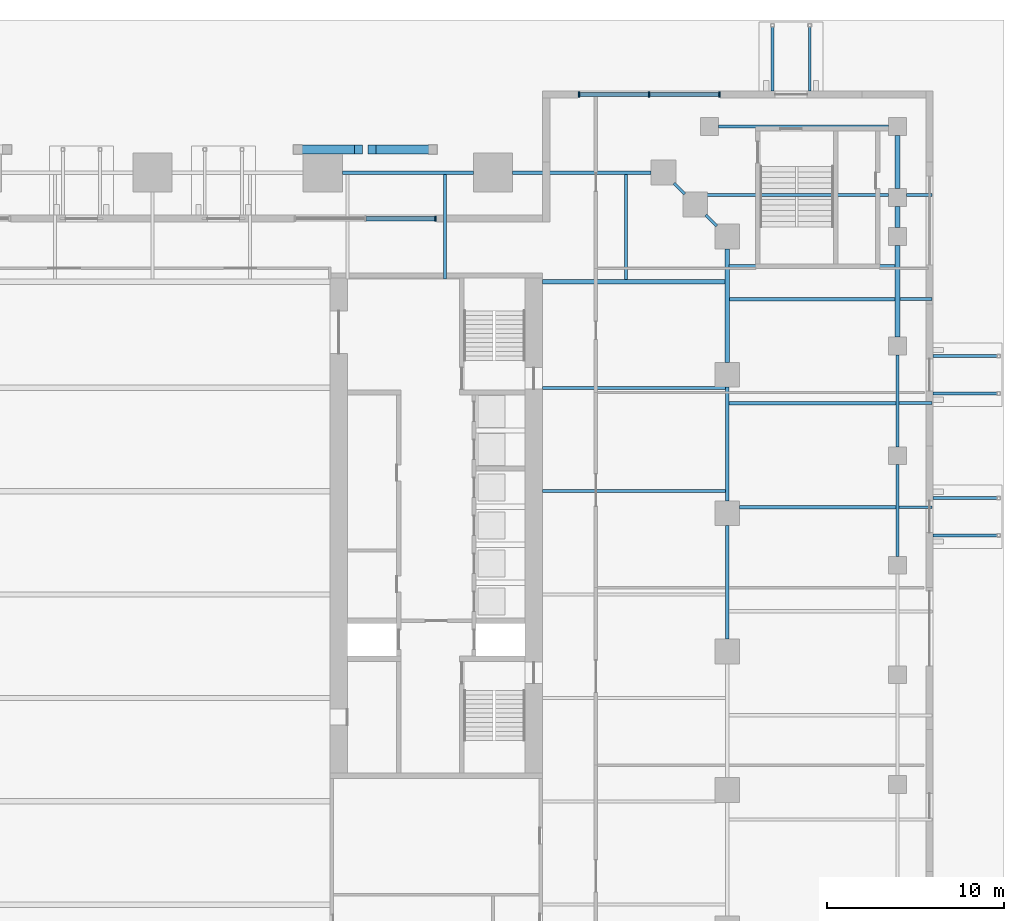
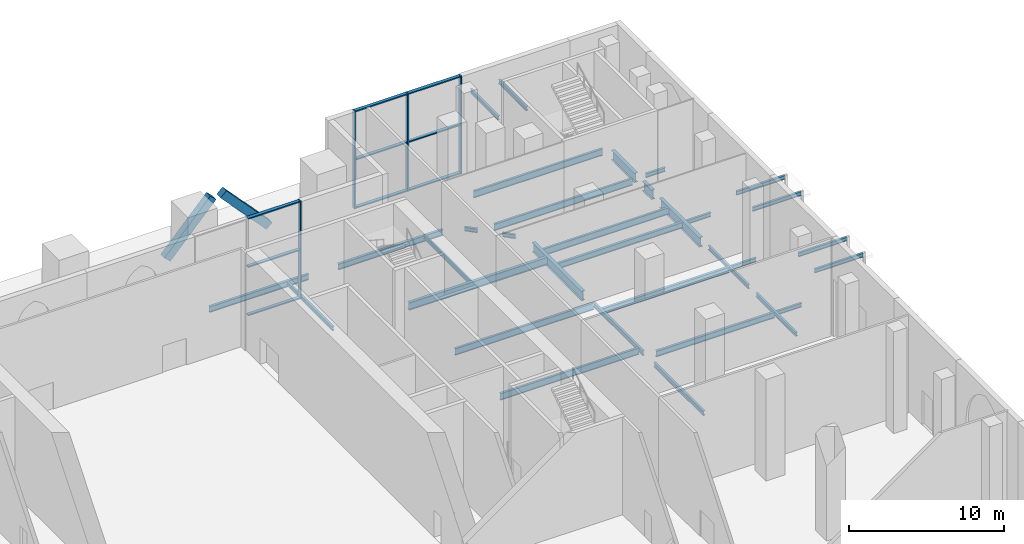
# One storey, part 24 of 38: 33 beams, 15 members, 2 elements without a shape of their own.
"""IFC4 building model written with IfcOpenShell, lengths in metres."""

from ifc_helpers import new_model, si_unit, direction, frame, origin, origin_2d, place, context, subcontext, project, spatial, rectangle, i_section, extrude, material, material_profile, profile_set, type_object, element, aggregate, save


model = new_model("IFC4")

# Units and contexts
model_context = context("Model", 3, precision=1e-05, world=origin(), true_north=direction((0.0, 1.0)))
body_context = subcontext(model_context, "Body", "Model", "MODEL_VIEW")
ifc_project = project(units=[si_unit("LENGTHUNIT", "METRE"), si_unit("AREAUNIT", "SQUARE_METRE"), si_unit("VOLUMEUNIT", "CUBIC_METRE"), si_unit("PLANEANGLEUNIT", "RADIAN"), si_unit("MASSUNIT", "GRAM", prefix="KILO")], contexts=[model_context])

# Site, building, storey
site_placement = place(None, origin())
site = spatial("IfcSite", under=ifc_project, at=site_placement, CompositionType="ELEMENT")
building_placement = place(site_placement, origin())
building = spatial("IfcBuilding", under=site, at=building_placement, Name="Ogive Exchange Tower", CompositionType="ELEMENT")
storey_placement = place(building_placement, origin())
storey = spatial("IfcBuildingStorey", under=building, at=storey_placement, Name="L00", CompositionType="ELEMENT", Elevation=0.0)

# Members
ifc_material_1 = material(Name="Concrete C70/85", Category="concrete")
ifc_material_profile_1 = material_profile(ifc_material_1, rectangle(XDim=0.5, YDim=0.60009765625, at=origin_2d()), Name="PC 500x600")
ifc_profile_set_1 = profile_set([ifc_material_profile_1], Name="Concrete C70/85")
member_type_1 = type_object("IfcMemberType", Name="Arch rib 500x600", PredefinedType="USERDEFINED", material=ifc_profile_set_1)
for number, where, z_axis, x_axis, name in (
    (1, (15.800048828125, 32.699951171875, 3.5), (-0.679788220837, 0.0, 0.733408463826), (0.0, -1.0, 0.0), "Arch rib"),
    (2, (8.199951171875, 32.699951171875, 3.5), (0.679788220837, 0.0, 0.733408463826), (0.0, 1.0, 0.0), "Arch rib"),
):
    element("IfcMember", number, at=place(storey_placement, frame(where, z_axis=z_axis, x_axis=x_axis)), inside=storey, type_object=member_type_1, Name=name, ObjectType="ARCH RIB", PredefinedType="USERDEFINED", context=body_context, shape_type="SweptSolid", body=[
        extrude(rectangle(XDim=0.5, YDim=0.60009765625, at=origin_2d()), origin(), (0.0, 0.0, 1.0), 5.03125),
    ])

# Curtain wall, members
ifc_material_2 = material(Name="Anodised aluminium and clear glass", Category="aluminium")
curtain_wall_type = type_object("IfcCurtainWallType", Name="Exchange hall glazing", PredefinedType="NOTDEFINED", material=ifc_material_2)
curtain_wall_1_placement = place(storey_placement, origin())
curtain_wall_1 = element("IfcCurtainWall", 3, at=curtain_wall_1_placement, inside=storey, type_object=curtain_wall_type, Name="Exchange hall glazing run HG27", PredefinedType="NOTDEFINED")
ifc_material_3 = material(Name="Anodised aluminium", Category="aluminium")
ifc_material_profile_2 = material_profile(ifc_material_3, rectangle(XDim=0.300048828125, YDim=0.090087890625, at=origin_2d()), Name="AL 90x300")
ifc_profile_set_2 = profile_set([ifc_material_profile_2], Name="Anodised aluminium")
member_type_2 = type_object("IfcMemberType", Name="Exchange hall glazing mullion 90 x 300", PredefinedType="MULLION", material=ifc_profile_set_2)
member_1_placement = place(storey_placement, frame((31.955078125, 35.800048828125, 0.0), z_axis=(0.0, 0.0, 1.0), x_axis=(0.0, -1.0, 0.0)))
member_1 = element("IfcMember", 4, at=member_1_placement, type_object=member_type_2, Name="HG27 mullion 1", PredefinedType="MULLION", context=body_context, shape_type="SweptSolid", body=[
    extrude(rectangle(XDim=0.300048828125, YDim=0.090087890625, at=origin_2d()), origin(), (0.0, 0.0, 1.0), 7.699951171875),
])
member_2_placement = place(storey_placement, frame((28.0, 35.800048828125, 0.0), z_axis=(0.0, 0.0, 1.0), x_axis=(0.0, -1.0, 0.0)))
member_2 = element("IfcMember", 5, at=member_2_placement, type_object=member_type_2, Name="HG27 mullion 2", PredefinedType="MULLION", context=body_context, shape_type="SweptSolid", body=[
    extrude(rectangle(XDim=0.300048828125, YDim=0.090087890625, at=origin_2d()), origin(), (0.0, 0.0, 1.0), 7.699951171875),
])
member_3_placement = place(storey_placement, frame((24.044921875, 35.800048828125, 0.0), z_axis=(0.0, 0.0, 1.0), x_axis=(0.0, -1.0, 0.0)))
member_3 = element("IfcMember", 6, at=member_3_placement, type_object=member_type_2, Name="HG27 mullion 3", PredefinedType="MULLION", context=body_context, shape_type="SweptSolid", body=[
    extrude(rectangle(XDim=0.300048828125, YDim=0.090087890625, at=origin_2d()), origin(), (0.0, 0.0, 1.0), 7.699951171875),
])

# Curtain wall, member
curtain_wall_2_placement = place(storey_placement, origin())
curtain_wall_2 = element("IfcCurtainWall", 7, at=curtain_wall_2_placement, inside=storey, type_object=curtain_wall_type, Name="Exchange hall glazing run HG32", PredefinedType="NOTDEFINED")
member_4_placement = place(storey_placement, frame((15.955078125, 28.800048828125, 0.0), z_axis=(0.0, 0.0, 1.0), x_axis=(0.0, -1.0, 0.0)))
member_4 = element("IfcMember", 8, at=member_4_placement, type_object=member_type_2, Name="HG32 mullion 1", PredefinedType="MULLION", context=body_context, shape_type="SweptSolid", body=[
    extrude(rectangle(XDim=0.300048828125, YDim=0.090087890625, at=origin_2d()), origin(), (0.0, 0.0, 1.0), 7.699951171875),
])

# Member
ifc_material_profile_3 = material_profile(ifc_material_3, rectangle(XDim=0.25, YDim=0.090087890625, at=origin_2d()), Name="AL 90x250")
ifc_profile_set_3 = profile_set([ifc_material_profile_3], Name="Anodised aluminium")
member_type_3 = type_object("IfcMemberType", Name="Exchange hall glazing transom 90 x 250", PredefinedType="USERDEFINED", material=ifc_profile_set_3)
member_5_placement = place(storey_placement, frame((31.909912109375, 35.800048828125, 0.044921875), z_axis=(-1.0, 0.0, 0.0), x_axis=(0.0, -1.0, 0.0)))
member_5 = element("IfcMember", 9, at=member_5_placement, type_object=member_type_3, Name="HG27 transom 1.1", ObjectType="TRANSOM", PredefinedType="USERDEFINED", context=body_context, shape_type="SweptSolid", body=[
    extrude(rectangle(XDim=0.25, YDim=0.090087890625, at=origin_2d()), origin(), (0.0, 0.0, 1.0), 3.864990234375),
])

member_6_placement = place(storey_placement, frame((31.909912109375, 35.800048828125, 3.85009765625), z_axis=(-1.0, 0.0, 0.0), x_axis=(0.0, -1.0, 0.0)))
member_6 = element("IfcMember", 10, at=member_6_placement, type_object=member_type_3, Name="HG27 transom 1.2", ObjectType="TRANSOM", PredefinedType="USERDEFINED", context=body_context, shape_type="SweptSolid", body=[
    extrude(rectangle(XDim=0.25, YDim=0.090087890625, at=origin_2d()), origin(), (0.0, 0.0, 1.0), 3.864990234375),
])

member_7_placement = place(storey_placement, frame((31.909912109375, 35.800048828125, 7.655029296875), z_axis=(-1.0, 0.0, 0.0), x_axis=(0.0, -1.0, 0.0)))
member_7 = element("IfcMember", 11, at=member_7_placement, type_object=member_type_3, Name="HG27 transom 1.3", ObjectType="TRANSOM", PredefinedType="USERDEFINED", context=body_context, shape_type="SweptSolid", body=[
    extrude(rectangle(XDim=0.25, YDim=0.090087890625, at=origin_2d()), origin(), (0.0, 0.0, 1.0), 3.864990234375),
])

member_8_placement = place(storey_placement, frame((27.955078125, 35.800048828125, 0.044921875), z_axis=(-1.0, 0.0, 0.0), x_axis=(0.0, -1.0, 0.0)))
member_8 = element("IfcMember", 12, at=member_8_placement, type_object=member_type_3, Name="HG27 transom 2.1", ObjectType="TRANSOM", PredefinedType="USERDEFINED", context=body_context, shape_type="SweptSolid", body=[
    extrude(rectangle(XDim=0.25, YDim=0.090087890625, at=origin_2d()), origin(), (0.0, 0.0, 1.0), 3.864990234375),
])

member_9_placement = place(storey_placement, frame((27.955078125, 35.800048828125, 3.85009765625), z_axis=(-1.0, 0.0, 0.0), x_axis=(0.0, -1.0, 0.0)))
member_9 = element("IfcMember", 13, at=member_9_placement, type_object=member_type_3, Name="HG27 transom 2.2", ObjectType="TRANSOM", PredefinedType="USERDEFINED", context=body_context, shape_type="SweptSolid", body=[
    extrude(rectangle(XDim=0.25, YDim=0.090087890625, at=origin_2d()), origin(), (0.0, 0.0, 1.0), 3.864990234375),
])

member_10_placement = place(storey_placement, frame((27.955078125, 35.800048828125, 7.655029296875), z_axis=(-1.0, 0.0, 0.0), x_axis=(0.0, -1.0, 0.0)))
member_10 = element("IfcMember", 14, at=member_10_placement, type_object=member_type_3, Name="HG27 transom 2.3", ObjectType="TRANSOM", PredefinedType="USERDEFINED", context=body_context, shape_type="SweptSolid", body=[
    extrude(rectangle(XDim=0.25, YDim=0.090087890625, at=origin_2d()), origin(), (0.0, 0.0, 1.0), 3.864990234375),
])

aggregate(curtain_wall_1, [member_1, member_2, member_3, member_5, member_6, member_7, member_8, member_9, member_10])

member_11_placement = place(storey_placement, frame((15.909912109375, 28.800048828125, 0.044921875), z_axis=(-1.0, 0.0, 0.0), x_axis=(0.0, -1.0, 0.0)))
member_11 = element("IfcMember", 15, at=member_11_placement, type_object=member_type_3, Name="HG32 transom 1.1", ObjectType="TRANSOM", PredefinedType="USERDEFINED", context=body_context, shape_type="SweptSolid", body=[
    extrude(rectangle(XDim=0.25, YDim=0.090087890625, at=origin_2d()), origin(), (0.0, 0.0, 1.0), 3.864990234375),
])

member_12_placement = place(storey_placement, frame((15.909912109375, 28.800048828125, 3.85009765625), z_axis=(-1.0, 0.0, 0.0), x_axis=(0.0, -1.0, 0.0)))
member_12 = element("IfcMember", 16, at=member_12_placement, type_object=member_type_3, Name="HG32 transom 1.2", ObjectType="TRANSOM", PredefinedType="USERDEFINED", context=body_context, shape_type="SweptSolid", body=[
    extrude(rectangle(XDim=0.25, YDim=0.090087890625, at=origin_2d()), origin(), (0.0, 0.0, 1.0), 3.864990234375),
])

member_13_placement = place(storey_placement, frame((15.909912109375, 28.800048828125, 7.655029296875), z_axis=(-1.0, 0.0, 0.0), x_axis=(0.0, -1.0, 0.0)))
member_13 = element("IfcMember", 17, at=member_13_placement, type_object=member_type_3, Name="HG32 transom 1.3", ObjectType="TRANSOM", PredefinedType="USERDEFINED", context=body_context, shape_type="SweptSolid", body=[
    extrude(rectangle(XDim=0.25, YDim=0.090087890625, at=origin_2d()), origin(), (0.0, 0.0, 1.0), 3.864990234375),
])

aggregate(curtain_wall_2, [member_4, member_11, member_12, member_13])

# Beams
ifc_material_4 = material(Name="Steel ASTM A992 Gr50", Category="steel")
ifc_material_profile_4 = material_profile(ifc_material_4, i_section(OverallWidth=0.1650390625, OverallDepth=0.31005859375, WebThickness=0.005859375, FlangeThickness=0.009765625, at=origin_2d()), Name="W310x38.7")
ifc_profile_set_4 = profile_set([ifc_material_profile_4], Name="Steel ASTM A992 Gr50")
beam_type_1 = type_object("IfcBeamType", Name="Floor beam W310x38.7", PredefinedType="JOIST", material=ifc_profile_set_4)
beam_1_placement = place(storey_placement, frame((16.5, 25.39990234375, -0.554931640625), z_axis=(0.0, 1.0, 0.0), x_axis=(-1.0, 0.0, 0.0)))
element("IfcBeam", 18, at=beam_1_placement, inside=storey, type_object=beam_type_1, Name="Floor beam", PredefinedType="JOIST", context=body_context, shape_type="SweptSolid", body=[
    extrude(i_section(OverallWidth=0.1650390625, OverallDepth=0.31005859375, WebThickness=0.005859375, FlangeThickness=0.009765625, at=origin_2d()), origin(), (0.0, 0.0, 1.0), 5.904541015625),
])
beam_2_placement = place(storey_placement, frame((26.699951171875, 25.35888671875, -0.455078125), z_axis=(0.0, 1.0, 0.0), x_axis=(-1.0, 0.0, 0.0)))
element("IfcBeam", 19, at=beam_2_placement, inside=storey, type_object=beam_type_1, Name="Floor beam", PredefinedType="JOIST", context=body_context, shape_type="SweptSolid", body=[
    extrude(i_section(OverallWidth=0.1650390625, OverallDepth=0.31005859375, WebThickness=0.005859375, FlangeThickness=0.009765625, at=origin_2d()), origin(), (0.0, 0.0, 1.0), 5.945556640625),
])
for number, where, z_axis, x_axis, name in (
    (20, (42.08251953125, 12.533203125, -0.455078125), (1.0, 0.0, 0.0), (0.0, 1.0, 0.0), "Floor beam"),
    (21, (42.08251953125, 18.39990234375, -0.455078125), (1.0, 0.0, 0.0), (0.0, 1.0, 0.0), "Floor beam"),
):
    element("IfcBeam", number, at=place(storey_placement, frame(where, z_axis=z_axis, x_axis=x_axis)), inside=storey, type_object=beam_type_1, Name=name, PredefinedType="JOIST", context=body_context, shape_type="SweptSolid", body=[
        extrude(i_section(OverallWidth=0.1650390625, OverallDepth=0.31005859375, WebThickness=0.005859375, FlangeThickness=0.009765625, at=origin_2d()), origin(), (0.0, 0.0, 1.0), 1.867431640625),
    ])
beam_3_placement = place(storey_placement, frame((42.133544921875, 24.2666015625, -0.455078125), z_axis=(1.0, 0.0, 0.0), x_axis=(0.0, 1.0, 0.0)))
element("IfcBeam", 22, at=beam_3_placement, inside=storey, type_object=beam_type_1, Name="Floor beam", PredefinedType="JOIST", context=body_context, shape_type="SweptSolid", body=[
    extrude(i_section(OverallWidth=0.1650390625, OverallDepth=0.31005859375, WebThickness=0.005859375, FlangeThickness=0.009765625, at=origin_2d()), origin(), (0.0, 0.0, 1.0), 1.81640625),
])
beam_4_placement = place(storey_placement, frame((42.5, 30.13330078125, -0.455078125), z_axis=(1.0, 0.0, 0.0), x_axis=(0.0, 1.0, 0.0)))
element("IfcBeam", 23, at=beam_4_placement, inside=storey, type_object=beam_type_1, Name="Floor beam", PredefinedType="JOIST", context=body_context, shape_type="SweptSolid", body=[
    extrude(i_section(OverallWidth=0.1650390625, OverallDepth=0.31005859375, WebThickness=0.005859375, FlangeThickness=0.009765625, at=origin_2d()), origin(), (0.0, 0.0, 1.0), 1.449951171875),
])
ifc_material_profile_5 = material_profile(ifc_material_4, i_section(OverallWidth=0.19091796875, OverallDepth=0.45703125, WebThickness=0.009033203125, FlangeThickness=0.014404296875, at=origin_2d()), Name="W460x74")
ifc_profile_set_5 = profile_set([ifc_material_profile_5], Name="Steel ASTM A992 Gr50")
beam_type_2 = type_object("IfcBeamType", Name="Floor beam W460x74", PredefinedType="JOIST", material=ifc_profile_set_5)
beam_5_placement = place(storey_placement, frame((33.10009765625, 12.533203125, -0.528564453125), z_axis=(1.0, 0.0, 0.0), x_axis=(0.0, 1.0, 0.0)))
element("IfcBeam", 24, at=beam_5_placement, inside=storey, type_object=beam_type_2, Name="Floor beam", PredefinedType="JOIST", context=body_context, shape_type="SweptSolid", body=[
    extrude(i_section(OverallWidth=0.19091796875, OverallDepth=0.45703125, WebThickness=0.009033203125, FlangeThickness=0.014404296875, at=origin_2d()), origin(), (0.0, 0.0, 1.0), 8.8173828125),
])
beam_6_placement = place(storey_placement, frame((32.485595703125, 18.39990234375, -0.528564453125), z_axis=(1.0, 0.0, 0.0), x_axis=(0.0, 1.0, 0.0)))
element("IfcBeam", 25, at=beam_6_placement, inside=storey, type_object=beam_type_2, Name="Floor beam", PredefinedType="JOIST", context=body_context, shape_type="SweptSolid", body=[
    extrude(i_section(OverallWidth=0.19091796875, OverallDepth=0.45703125, WebThickness=0.009033203125, FlangeThickness=0.014404296875, at=origin_2d()), origin(), (0.0, 0.0, 1.0), 9.431884765625),
])
beam_7_placement = place(storey_placement, frame((32.533447265625, 24.2666015625, -0.528564453125), z_axis=(1.0, 0.0, 0.0), x_axis=(0.0, 1.0, 0.0)))
element("IfcBeam", 26, at=beam_7_placement, inside=storey, type_object=beam_type_2, Name="Floor beam", PredefinedType="JOIST", context=body_context, shape_type="SweptSolid", body=[
    extrude(i_section(OverallWidth=0.19091796875, OverallDepth=0.45703125, WebThickness=0.009033203125, FlangeThickness=0.014404296875, at=origin_2d()), origin(), (0.0, 0.0, 1.0), 9.3330078125),
])
ifc_material_profile_6 = material_profile(ifc_material_4, i_section(OverallWidth=0.1669921875, OverallDepth=0.535888671875, WebThickness=0.01025390625, FlangeThickness=0.0166015625, at=origin_2d()), Name="W530x85")
ifc_profile_set_6 = profile_set([ifc_material_profile_6], Name="Steel ASTM A992 Gr50")
beam_type_3 = type_object("IfcBeamType", Name="Floor beam W530x85", PredefinedType="JOIST", material=ifc_profile_set_6)
for number, where, z_axis, x_axis, name in (
    (27, (22.0, 13.438720703125, -0.568115234375), (1.0, 0.0, 0.0), (0.0, 1.0, 0.0), "Floor beam"),
    (28, (22.0, 19.264404296875, -0.568115234375), (1.0, 0.0, 0.0), (0.0, 1.0, 0.0), "Floor beam"),
):
    element("IfcBeam", number, at=place(storey_placement, frame(where, z_axis=z_axis, x_axis=x_axis)), inside=storey, type_object=beam_type_3, Name=name, PredefinedType="JOIST", context=body_context, shape_type="SweptSolid", body=[
        extrude(i_section(OverallWidth=0.1669921875, OverallDepth=0.535888671875, WebThickness=0.01025390625, FlangeThickness=0.0166015625, at=origin_2d()), origin(), (0.0, 0.0, 1.0), 10.344970703125),
    ])
beam_8_placement = place(storey_placement, frame((31.199951171875, 30.13330078125, -0.568115234375), z_axis=(1.0, 0.0, 0.0), x_axis=(0.0, 1.0, 0.0)))
element("IfcBeam", 29, at=beam_8_placement, inside=storey, type_object=beam_type_3, Name="Floor beam", PredefinedType="JOIST", context=body_context, shape_type="SweptSolid", body=[
    extrude(i_section(OverallWidth=0.1669921875, OverallDepth=0.535888671875, WebThickness=0.01025390625, FlangeThickness=0.0166015625, at=origin_2d()), origin(), (0.0, 0.0, 1.0), 10.300048828125),
])
ifc_material_profile_7 = material_profile(ifc_material_4, i_section(OverallWidth=0.1650390625, OverallDepth=0.31005859375, WebThickness=0.005859375, FlangeThickness=0.009765625, at=origin_2d()), Name="W310x38.7")
ifc_profile_set_7 = profile_set([ifc_material_profile_7], Name="Steel ASTM A992 Gr50")
beam_type_4 = type_object("IfcBeamType", Name="Girder W310x38.7", PredefinedType="BEAM", material=ifc_profile_set_7)
for number, where, z_axis, x_axis, name in (
    (30, (31.805908203125, 28.39404296875, -0.455078125), (-0.706965712506, 0.707247821729, 0.0), (-0.707247821729, -0.706965712506, 0.0), "Girder"),
    (31, (30.006103515625, 30.194091796875, -0.455078125), (-0.707247821729, 0.706965712506, 0.0), (-0.706965712506, -0.707247821729, 0.0), "Girder"),
):
    element("IfcBeam", number, at=place(storey_placement, frame(where, z_axis=z_axis, x_axis=x_axis)), inside=storey, type_object=beam_type_4, Name=name, PredefinedType="BEAM", context=body_context, shape_type="SweptSolid", body=[
        extrude(i_section(OverallWidth=0.1650390625, OverallDepth=0.31005859375, WebThickness=0.005859375, FlangeThickness=0.009765625, at=origin_2d()), origin(), (0.0, 0.0, 1.0), 0.865478515625),
    ])
beam_9_placement = place(storey_placement, frame((42.0, 9.77001953125, -0.455078125), z_axis=(0.0, 1.0, 0.0), x_axis=(-1.0, 0.0, 0.0)))
element("IfcBeam", 32, at=beam_9_placement, inside=storey, type_object=beam_type_4, Name="Girder", PredefinedType="BEAM", context=body_context, shape_type="SweptSolid", body=[
    extrude(i_section(OverallWidth=0.1650390625, OverallDepth=0.31005859375, WebThickness=0.005859375, FlangeThickness=0.009765625, at=origin_2d()), origin(), (0.0, 0.0, 1.0), 5.169921875),
])
beam_10_placement = place(storey_placement, frame((42.0, 15.93994140625, -0.455078125), z_axis=(0.0, 1.0, 0.0), x_axis=(-1.0, 0.0, 0.0)))
element("IfcBeam", 33, at=beam_10_placement, inside=storey, type_object=beam_type_4, Name="Girder", PredefinedType="BEAM", context=body_context, shape_type="SweptSolid", body=[
    extrude(i_section(OverallWidth=0.1650390625, OverallDepth=0.31005859375, WebThickness=0.005859375, FlangeThickness=0.009765625, at=origin_2d()), origin(), (0.0, 0.0, 1.0), 5.18017578125),
])
for number, where, z_axis, x_axis, name in (
    (34, (44.0, 10.949951171875, 3.14501953125), (1.0, 0.0, 0.0), (0.0, 1.0, 0.0), "Canopy beam"),
    (35, (44.0, 13.050048828125, 3.14501953125), (1.0, 0.0, 0.0), (0.0, 1.0, 0.0), "Canopy beam"),
    (36, (44.0, 18.949951171875, 3.14501953125), (1.0, 0.0, 0.0), (0.0, 1.0, 0.0), "Canopy beam"),
    (37, (44.0, 21.050048828125, 3.14501953125), (1.0, 0.0, 0.0), (0.0, 1.0, 0.0), "Canopy beam"),
    (38, (37.050048828125, 36.0, 3.14501953125), (0.0, 1.0, 0.0), (-1.0, 0.0, 0.0), "Canopy beam"),
    (39, (34.949951171875, 36.0, 3.14501953125), (0.0, 1.0, 0.0), (-1.0, 0.0, 0.0), "Canopy beam"),
):
    element("IfcBeam", number, at=place(storey_placement, frame(where, z_axis=z_axis, x_axis=x_axis)), inside=storey, type_object=beam_type_4, Name=name, PredefinedType="BEAM", context=body_context, shape_type="SweptSolid", body=[
        extrude(i_section(OverallWidth=0.1650390625, OverallDepth=0.31005859375, WebThickness=0.005859375, FlangeThickness=0.009765625, at=origin_2d()), origin(), (0.0, 0.0, 1.0), 3.598388671875),
    ])
ifc_material_profile_8 = material_profile(ifc_material_4, i_section(OverallWidth=0.1708984375, OverallDepth=0.35595703125, WebThickness=0.00732421875, FlangeThickness=0.01171875, at=origin_2d()), Name="W360x51")
ifc_profile_set_8 = profile_set([ifc_material_profile_8], Name="Steel ASTM A992 Gr50")
beam_type_5 = type_object("IfcBeamType", Name="Girder W360x51", PredefinedType="BEAM", material=ifc_profile_set_8)
beam_11_placement = place(storey_placement, frame((32.39990234375, 5.10009765625, -0.47802734375), z_axis=(0.0, 1.0, 0.0), x_axis=(-1.0, 0.0, 0.0)))
element("IfcBeam", 40, at=beam_11_placement, inside=storey, type_object=beam_type_5, Name="Girder", PredefinedType="BEAM", context=body_context, shape_type="SweptSolid", body=[
    extrude(i_section(OverallWidth=0.1708984375, OverallDepth=0.35595703125, WebThickness=0.00732421875, FlangeThickness=0.01171875, at=origin_2d()), origin(), (0.0, 0.0, 1.0), 6.39990234375),
])
beam_12_placement = place(storey_placement, frame((32.39990234375, 12.89990234375, -0.47802734375), z_axis=(0.0, 1.0, 0.0), x_axis=(-1.0, 0.0, 0.0)))
element("IfcBeam", 41, at=beam_12_placement, inside=storey, type_object=beam_type_5, Name="Girder", PredefinedType="BEAM", context=body_context, shape_type="SweptSolid", body=[
    extrude(i_section(OverallWidth=0.1708984375, OverallDepth=0.35595703125, WebThickness=0.00732421875, FlangeThickness=0.01171875, at=origin_2d()), origin(), (0.0, 0.0, 1.0), 6.400146484375),
])
ifc_material_profile_9 = material_profile(ifc_material_4, i_section(OverallWidth=0.19091796875, OverallDepth=0.45703125, WebThickness=0.009033203125, FlangeThickness=0.014404296875, at=origin_2d()), Name="W460x74")
ifc_profile_set_9 = profile_set([ifc_material_profile_9], Name="Steel ASTM A992 Gr50")
beam_type_6 = type_object("IfcBeamType", Name="Girder W460x74", PredefinedType="BEAM", material=ifc_profile_set_9)
beam_13_placement = place(storey_placement, frame((28.10009765625, 31.39990234375, -0.62841796875), z_axis=(-1.0, 0.0, 0.0), x_axis=(0.0, -1.0, 0.0)))
element("IfcBeam", 42, at=beam_13_placement, inside=storey, type_object=beam_type_6, Name="Girder", PredefinedType="BEAM", context=body_context, shape_type="SweptSolid", body=[
    extrude(i_section(OverallWidth=0.19091796875, OverallDepth=0.45703125, WebThickness=0.009033203125, FlangeThickness=0.014404296875, at=origin_2d()), origin(), (0.0, 0.0, 1.0), 7.800048828125),
])
beam_14_placement = place(storey_placement, frame((18.10009765625, 31.39990234375, -0.62841796875), z_axis=(-1.0, 0.0, 0.0), x_axis=(0.0, -1.0, 0.0)))
element("IfcBeam", 43, at=beam_14_placement, inside=storey, type_object=beam_type_6, Name="Girder", PredefinedType="BEAM", context=body_context, shape_type="SweptSolid", body=[
    extrude(i_section(OverallWidth=0.19091796875, OverallDepth=0.45703125, WebThickness=0.009033203125, FlangeThickness=0.014404296875, at=origin_2d()), origin(), (0.0, 0.0, 1.0), 7.400146484375),
])
ifc_material_profile_10 = material_profile(ifc_material_4, i_section(OverallWidth=0.1669921875, OverallDepth=0.535888671875, WebThickness=0.01025390625, FlangeThickness=0.0166015625, at=origin_2d()), Name="W530x85")
ifc_profile_set_10 = profile_set([ifc_material_profile_10], Name="Steel ASTM A992 Gr50")
beam_type_7 = type_object("IfcBeamType", Name="Girder W530x85", PredefinedType="BEAM", material=ifc_profile_set_10)
beam_15_placement = place(storey_placement, frame((31.89990234375, 34.0, -0.568115234375), z_axis=(1.0, 0.0, 0.0), x_axis=(0.0, 1.0, 0.0)))
element("IfcBeam", 44, at=beam_15_placement, inside=storey, type_object=beam_type_7, Name="Girder", PredefinedType="BEAM", context=body_context, shape_type="SweptSolid", body=[
    extrude(i_section(OverallWidth=0.1669921875, OverallDepth=0.535888671875, WebThickness=0.01025390625, FlangeThickness=0.0166015625, at=origin_2d()), origin(), (0.0, 0.0, 1.0), 9.60009765625),
])
beam_16_placement = place(storey_placement, frame((32.489990234375, 26.125, -0.568115234375), z_axis=(1.0, 0.0, 0.0), x_axis=(0.0, 1.0, 0.0)))
element("IfcBeam", 45, at=beam_16_placement, inside=storey, type_object=beam_type_7, Name="Girder", PredefinedType="BEAM", context=body_context, shape_type="SweptSolid", body=[
    extrude(i_section(OverallWidth=0.1669921875, OverallDepth=0.535888671875, WebThickness=0.01025390625, FlangeThickness=0.0166015625, at=origin_2d()), origin(), (0.0, 0.0, 1.0), 9.4326171875),
])
ifc_material_profile_11 = material_profile(ifc_material_4, i_section(OverallWidth=0.22802734375, OverallDepth=0.60205078125, WebThickness=0.010498046875, FlangeThickness=0.014892578125, at=origin_2d()), Name="W610x101")
ifc_profile_set_11 = profile_set([ifc_material_profile_11], Name="Steel ASTM A992 Gr50")
beam_type_8 = type_object("IfcBeamType", Name="Girder W610x101", PredefinedType="BEAM", material=ifc_profile_set_11)
beam_17_placement = place(storey_placement, frame((22.0, 25.2451171875, -0.60107421875), z_axis=(1.0, 0.0, 0.0), x_axis=(0.0, 1.0, 0.0)))
element("IfcBeam", 46, at=beam_17_placement, inside=storey, type_object=beam_type_8, Name="Header girder", PredefinedType="BEAM", context=body_context, shape_type="SweptSolid", body=[
    extrude(i_section(OverallWidth=0.22802734375, OverallDepth=0.60205078125, WebThickness=0.010498046875, FlangeThickness=0.014892578125, at=origin_2d()), origin(), (0.0, 0.0, 1.0), 10.344970703125),
])
ifc_material_profile_12 = material_profile(ifc_material_4, i_section(OverallWidth=0.26708984375, OverallDepth=0.75390625, WebThickness=0.01318359375, FlangeThickness=0.01708984375, at=origin_2d()), Name="W760x147")
ifc_profile_set_12 = profile_set([ifc_material_profile_12], Name="Steel ASTM A992 Gr50")
beam_type_9 = type_object("IfcBeamType", Name="Girder W760x147", PredefinedType="BEAM", material=ifc_profile_set_12)
beam_18_placement = place(storey_placement, frame((32.39990234375, 20.699951171875, -0.677001953125), z_axis=(0.0, 1.0, 0.0), x_axis=(-1.0, 0.0, 0.0)))
element("IfcBeam", 47, at=beam_18_placement, inside=storey, type_object=beam_type_9, Name="Girder", PredefinedType="BEAM", context=body_context, shape_type="SweptSolid", body=[
    extrude(i_section(OverallWidth=0.26708984375, OverallDepth=0.75390625, WebThickness=0.01318359375, FlangeThickness=0.01708984375, at=origin_2d()), origin(), (0.0, 0.0, 1.0), 6.400146484375),
])
beam_19_placement = place(storey_placement, frame((42.0, 22.1201171875, -0.677001953125), z_axis=(0.0, 1.0, 0.0), x_axis=(-1.0, 0.0, 0.0)))
element("IfcBeam", 48, at=beam_19_placement, inside=storey, type_object=beam_type_9, Name="Girder", PredefinedType="BEAM", context=body_context, shape_type="SweptSolid", body=[
    extrude(i_section(OverallWidth=0.26708984375, OverallDepth=0.75390625, WebThickness=0.01318359375, FlangeThickness=0.01708984375, at=origin_2d()), origin(), (0.0, 0.0, 1.0), 5.179931640625),
])
beam_20_placement = place(storey_placement, frame((42.0, 28.300048828125, -0.677001953125), z_axis=(0.0, 1.0, 0.0), x_axis=(-1.0, 0.0, 0.0)))
element("IfcBeam", 49, at=beam_20_placement, inside=storey, type_object=beam_type_9, Name="Girder", PredefinedType="BEAM", context=body_context, shape_type="SweptSolid", body=[
    extrude(i_section(OverallWidth=0.26708984375, OverallDepth=0.75390625, WebThickness=0.01318359375, FlangeThickness=0.01708984375, at=origin_2d()), origin(), (0.0, 0.0, 1.0), 1.199951171875),
])
beam_21_placement = place(storey_placement, frame((42.0, 30.5, -0.677001953125), z_axis=(0.0, 1.0, 0.0), x_axis=(-1.0, 0.0, 0.0)))
element("IfcBeam", 50, at=beam_21_placement, inside=storey, type_object=beam_type_9, Name="Girder", PredefinedType="BEAM", context=body_context, shape_type="SweptSolid", body=[
    extrude(i_section(OverallWidth=0.26708984375, OverallDepth=0.75390625, WebThickness=0.01318359375, FlangeThickness=0.01708984375, at=origin_2d()), origin(), (0.0, 0.0, 1.0), 3.0),
])

save(model, "model.ifc")
